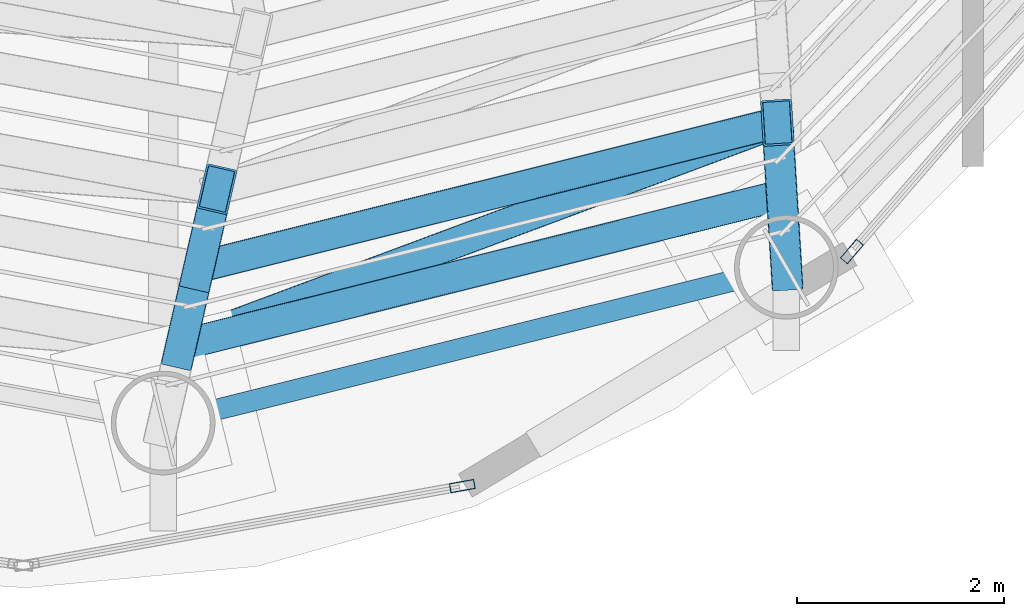
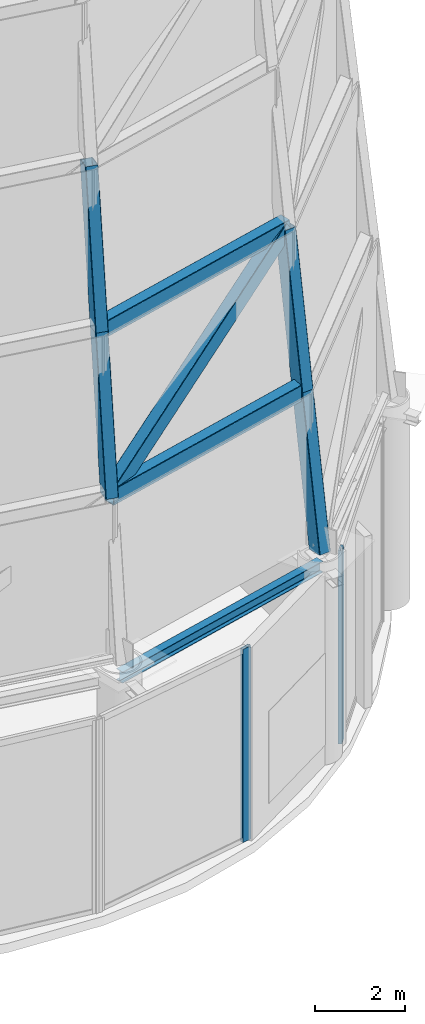
# One storey, part 9 of 40: 9 members, 1 beam, 2 elements without a shape of their own.
"""IFC4 building model written with IfcOpenShell, lengths in metres."""

import ifcopenshell
import ifcopenshell.guid

model = None  # the IFC model being written
_history = None  # IfcOwnerHistory: only IFC2X3 demands one
_inside = {}  # id of a spatial element -> (the spatial element, [elements in it])
_under = {}  # id of a project, library or spatial element -> (it, [spatial elements below it])
_declared = {}  # id of a project -> (the project, [libraries it declares])
_typed = {}  # id of a type object -> (the type object, [elements of that type])
_made_of = {}  # id of a material, layer set ... -> (it, [elements and type objects made of it])


def new_model(schema):
    """Start an empty IFC model of exactly this schema.

    Asked for "IFC4X3", IfcOpenShell would pick the latest addendum, in which some entities
    have other attributes; the version numbers below select the first issue.
    IFC2X3 requires an IfcOwnerHistory on every rooted entity: one is made here for all.
    """
    global model, _history
    if schema == "IFC4X3":
        model = ifcopenshell.file(schema_version=(4, 3, 0, 0))
    else:
        model = ifcopenshell.file(schema=schema)
    _inside.clear()
    _under.clear()
    _declared.clear()
    _typed.clear()
    _made_of.clear()
    _history = None
    if model.schema == "IFC2X3":
        org = make("IfcOrganization", Name="unknown")
        user = make(
            "IfcPersonAndOrganization",
            ThePerson=make("IfcPerson", FamilyName="unknown"),
            TheOrganization=org,
        )
        app = make(
            "IfcApplication",
            ApplicationDeveloper=org,
            Version="unknown",
            ApplicationFullName="unknown",
            ApplicationIdentifier="unknown",
        )
        _history = make(
            "IfcOwnerHistory",
            OwningUser=user,
            OwningApplication=app,
            ChangeAction="ADDED",
            CreationDate=0,
        )
    return model


def make(cls, **values):
    """One entity of the class cls with the attributes given. An attribute that is None is left unset."""
    return model.create_entity(
        cls, **{name: value for name, value in values.items() if value is not None}
    )


def rooted(cls, **values):
    """An entity with a GlobalId (a new one), such as an element, a storey or a relation."""
    return make(cls, GlobalId=ifcopenshell.guid.new(), OwnerHistory=_history, **values)


def si_unit(unit_type, name, prefix=None):
    """IfcSIUnit, for example si_unit("LENGTHUNIT", "METRE", prefix="MILLI")."""
    return make("IfcSIUnit", UnitType=unit_type, Prefix=prefix, Name=name)


def assignment(units):
    """IfcUnitAssignment: the units of a project."""
    return None if units is None else make("IfcUnitAssignment", Units=units)


def point(xyz):
    """IfcCartesianPoint."""
    return None if xyz is None else make("IfcCartesianPoint", Coordinates=xyz)


def direction(xyz):
    """IfcDirection."""
    return None if xyz is None else make("IfcDirection", DirectionRatios=xyz)


def frame(location, z_axis=None, x_axis=None):
    """IfcAxis2Placement3D, a coordinate frame: its origin and axes. An axis left out is left unset."""
    return make(
        "IfcAxis2Placement3D",
        Location=point(location),
        Axis=direction(z_axis),
        RefDirection=direction(x_axis),
    )


def frame_2d(location, x_axis=None):
    """IfcAxis2Placement2D, a coordinate frame in the plane: its origin and x axis."""
    return make(
        "IfcAxis2Placement2D", Location=point(location), RefDirection=direction(x_axis)
    )


def origin():
    """The frame at (0, 0, 0) with its axes left unset."""
    return frame((0.0, 0.0, 0.0))


def origin_2d():
    """The frame at (0, 0) in the plane with its x axis left unset."""
    return frame_2d((0.0, 0.0))


def place(relative_to, where):
    """IfcLocalPlacement: puts the frame where relative to a parent placement (None: the world)."""
    return make(
        "IfcLocalPlacement", PlacementRelTo=relative_to, RelativePlacement=where
    )


def context(
    kind, dimensions, precision=None, world=None, true_north=None, identifier=None
):
    """IfcGeometricRepresentationContext, for example the 3D "Model" context."""
    return make(
        "IfcGeometricRepresentationContext",
        ContextIdentifier=identifier,
        ContextType=kind,
        CoordinateSpaceDimension=dimensions,
        Precision=precision,
        WorldCoordinateSystem=world,
        TrueNorth=true_north,
    )


def subcontext(parent, identifier, kind, view, scale=None):
    """IfcGeometricRepresentationSubContext, for example "Body" below "Model"."""
    return make(
        "IfcGeometricRepresentationSubContext",
        ContextIdentifier=identifier,
        ContextType=kind,
        ParentContext=parent,
        TargetScale=scale,
        TargetView=view,
    )


def project(units=None, contexts=None):
    """IfcProject with its units and contexts."""
    return rooted(
        "IfcProject",
        Name="project",
        RepresentationContexts=contexts,
        UnitsInContext=assignment(units),
    )


def spatial(cls, under=None, at=None, **own):
    """A site, building, storey or space (cls), placed at a placement, below another one or the project."""
    s = rooted(cls, ObjectPlacement=at, **own)
    if under is not None:
        _under.setdefault(under.id(), (under, []))[1].append(s)
    return s


def profile(cls, at=None, kind="AREA", **sizes):
    """A parametric profile (cls). Its sizes go by their IFC names, for example OverallWidth=200.0."""
    return make(cls, ProfileType=kind, Position=at, **sizes)


def hollow_rectangle(**sizes):
    """IfcRectangleHollowProfileDef."""
    return profile("IfcRectangleHollowProfileDef", **sizes)


def i_section(**sizes):
    """IfcIShapeProfileDef."""
    return profile("IfcIShapeProfileDef", **sizes)


def extrude(swept, where, along, depth):
    """IfcExtrudedAreaSolid: the profile swept, set in the frame where, extruded along a direction by depth."""
    return make(
        "IfcExtrudedAreaSolid",
        SweptArea=swept,
        Position=where,
        ExtrudedDirection=direction(along),
        Depth=depth,
    )


def shape(context_of_items, identifier, shape_type, items):
    """IfcShapeRepresentation: the items that make up one representation, for example the "Body"."""
    return make(
        "IfcShapeRepresentation",
        ContextOfItems=context_of_items,
        RepresentationIdentifier=identifier,
        RepresentationType=shape_type,
        Items=items,
    )


def material(Name=None, Category=None):
    """IfcMaterial."""
    return make("IfcMaterial", Name=Name, Category=Category)


def layer(
    of_material, thickness, ventilated=None, Name=None, Category=None, Priority=None
):
    """IfcMaterialLayer: one layer of a wall or slab, of a material (None: an air gap)."""
    return make(
        "IfcMaterialLayer",
        Material=of_material,
        LayerThickness=thickness,
        IsVentilated=ventilated,
        Name=Name,
        Category=Category,
        Priority=Priority,
    )


def layer_set(layers, Name=None):
    """IfcMaterialLayerSet."""
    return make("IfcMaterialLayerSet", MaterialLayers=layers, LayerSetName=Name)


def material_profile(
    of_material, cross_section, Name=None, Category=None, Priority=None
):
    """IfcMaterialProfile: a cross section and its material."""
    return make(
        "IfcMaterialProfile",
        Name=Name,
        Material=of_material,
        Profile=cross_section,
        Priority=Priority,
        Category=Category,
    )


def profile_set(profiles, Name=None, composite=None):
    """IfcMaterialProfileSet."""
    return make(
        "IfcMaterialProfileSet",
        Name=Name,
        MaterialProfiles=profiles,
        CompositeProfile=composite,
    )


def made_of(thing, what):
    """Note that an element or type object is made of a material, layer set ...; save() writes the relation."""
    if what is not None:
        _made_of.setdefault(what.id(), (what, []))[1].append(thing)
    return thing


def type_object(cls, material=None, **own):
    """A type object (cls), such as IfcWallType, which elements share."""
    return made_of(rooted(cls, **own), material)


def element(
    cls,
    number,
    at=None,
    inside=None,
    cuts=None,
    type_object=None,
    material=None,
    context=None,
    identifier="Body",
    shape_type=None,
    held_by="IfcProductDefinitionShape",
    body=None,
    shapes=None,
    **own,
):
    """One element of the class cls, such as IfcWall. Its Tag is "e" and its number.

    at: its placement. inside: the storey or other place that contains it. cuts: it is an
    opening in that element (IfcRelVoidsElement). A single representation is given by context,
    identifier, shape_type and body (its items); several are given by shapes. held_by: the class
    of the entity that holds the representations. save() writes the other relations.
    """
    e = rooted(cls, Tag="e%d" % number, ObjectPlacement=at, **own)
    if body is not None:
        shapes = [shape(context, identifier, shape_type, body)]
    if shapes is not None:
        e.Representation = make(held_by, Representations=shapes)
    if inside is not None:
        _inside.setdefault(inside.id(), (inside, []))[1].append(e)
    if cuts is not None:
        rooted(
            "IfcRelVoidsElement", RelatingBuildingElement=cuts, RelatedOpeningElement=e
        )
    if type_object is not None:
        _typed.setdefault(type_object.id(), (type_object, []))[1].append(e)
    return made_of(e, material)


def aggregate(whole, parts):
    """IfcRelAggregates: a whole, such as a stair, and the parts it consists of."""
    return rooted("IfcRelAggregates", RelatingObject=whole, RelatedObjects=parts)


def save(model, path):
    """Write the relations noted so far, then the file.

    IfcRelAggregates (storeys below a building ...), IfcRelContainedInSpatialStructure (elements
    in a storey), IfcRelDefinesByType, IfcRelAssociatesMaterial and IfcRelDeclares: one each for
    every whole, place, type object, material and project.
    """
    for whole, parts in _under.values():
        aggregate(whole, parts)
    for where, things in _inside.values():
        rooted(
            "IfcRelContainedInSpatialStructure",
            RelatedElements=things,
            RelatingStructure=where,
        )
    for kind, things in _typed.values():
        rooted("IfcRelDefinesByType", RelatedObjects=things, RelatingType=kind)
    for what, things in _made_of.values():
        rooted("IfcRelAssociatesMaterial", RelatedObjects=things, RelatingMaterial=what)
    for by, libraries in _declared.values():
        rooted("IfcRelDeclares", RelatingContext=by, RelatedDefinitions=libraries)
    model.write(path)


model = new_model("IFC4")

# Units and contexts
model_context = context("Model", 3, precision=1e-05, world=origin(), true_north=direction((0.0, 1.0)))
body_context = subcontext(model_context, "Body", "Model", "MODEL_VIEW")
ifc_project = project(units=[si_unit("LENGTHUNIT", "METRE"), si_unit("AREAUNIT", "SQUARE_METRE"), si_unit("VOLUMEUNIT", "CUBIC_METRE"), si_unit("PLANEANGLEUNIT", "RADIAN"), si_unit("MASSUNIT", "GRAM", prefix="KILO")], contexts=[model_context])

# Site, building, storey
site_placement = place(None, origin())
site = spatial("IfcSite", under=ifc_project, at=site_placement, CompositionType="ELEMENT")
building_placement = place(site_placement, origin())
building = spatial("IfcBuilding", under=site, at=building_placement, Name="Bramvorn Convention Spire", CompositionType="ELEMENT")
storey_placement = place(building_placement, frame((0.0, 0.0, 312.5)))
storey = spatial("IfcBuildingStorey", under=building, at=storey_placement, Name="L79", CompositionType="ELEMENT", Elevation=312.5)

# Beam
ifc_material_1 = material(Name="Steel CSA G40.21 Grade 350 (350W)", Category="steel")
ifc_material_profile_1 = material_profile(ifc_material_1, i_section(OverallWidth=0.202880859375, OverallDepth=0.302978515625, WebThickness=0.007568359375, FlangeThickness=0.01318359375, FilletRadius=0.013916015625, at=origin_2d()))
ifc_profile_set_1 = profile_set([ifc_material_profile_1], Name="Steel CSA G40.21 Grade 350 (350W) - W310X60")
beam_type = type_object("IfcBeamType", Name="BM-W310X60", PredefinedType="JOIST", material=ifc_profile_set_1)
beam_placement = place(storey_placement, frame((43.1884765625, 5.09912109375, 5.098388671875), z_axis=(0.970177255997, 0.24239655927, 0.0), x_axis=(-0.24239655927, 0.970177255997, 0.0)))
element("IfcBeam", 1, at=beam_placement, inside=storey, type_object=beam_type, Name="L79 mega-column ring beam 16", PredefinedType="JOIST", context=body_context, shape_type="SweptSolid", body=[
    extrude(i_section(OverallWidth=0.202880859375, OverallDepth=0.302978515625, WebThickness=0.007568359375, FlangeThickness=0.01318359375, FilletRadius=0.013916015625, at=origin_2d()), origin(), (0.0, 0.0, 1.0), 6.1962890625),
])

# Curtain wall, member
ifc_material_2 = material(Name="Anodised Bronze Unitised Curtain Wall", Category="aluminium")
ifc_layer = layer(ifc_material_2, 0.199951171875)
ifc_layer_set = layer_set([ifc_layer], Name="Anodised Bronze Unitised Curtain Wall - CW-CROWN-SPIRE")
curtain_wall_type = type_object("IfcCurtainWallType", Name="CW-CROWN-SPIRE", PredefinedType="USERDEFINED", material=ifc_layer_set)
curtain_wall_1_placement = place(storey_placement, origin())
curtain_wall_1 = element("IfcCurtainWall", 2, at=curtain_wall_1_placement, inside=storey, type_object=curtain_wall_type, Name="L79 fritted glass curtain wall 02", ObjectType="UNITISED CURTAIN WALL", PredefinedType="USERDEFINED")
ifc_material_3 = material(Name="Anodised Bronze Aluminium 6063-T6", Category="aluminium")
ifc_material_profile_2 = material_profile(ifc_material_3, hollow_rectangle(XDim=0.090087890625, YDim=0.239990234375, WallThickness=0.00439453125, InnerFilletRadius=0.0009765625, OuterFilletRadius=0.00439453125, at=origin_2d()))
ifc_profile_set_2 = profile_set([ifc_material_profile_2], Name="Anodised Bronze Aluminium 6063-T6 - CWM90X240")
member_type_1 = type_object("IfcMemberType", Name="CW-MUL-220", PredefinedType="MULLION", material=ifc_profile_set_2)
member_1_placement = place(storey_placement, frame((49.832763671875, 6.75390625, 0.0), z_axis=(0.0, 0.0, 1.0), x_axis=(0.756460178654, -0.6540397527, 0.0)))
member_1 = element("IfcMember", 3, at=member_1_placement, type_object=member_type_1, Name="CW6 mullion 2", PredefinedType="MULLION", context=body_context, shape_type="SweptSolid", body=[
    extrude(hollow_rectangle(XDim=0.090087890625, YDim=0.239990234375, WallThickness=0.00439453125, InnerFilletRadius=0.0009765625, OuterFilletRadius=0.00439453125, at=origin_2d()), origin(), (0.0, 0.0, 1.0), 5.25),
])
aggregate(curtain_wall_1, [member_1])

curtain_wall_2_placement = place(storey_placement, origin())
curtain_wall_2 = element("IfcCurtainWall", 4, at=curtain_wall_2_placement, inside=storey, type_object=curtain_wall_type, Name="L79 fritted glass curtain wall 24", ObjectType="UNITISED CURTAIN WALL", PredefinedType="USERDEFINED")
member_2_placement = place(storey_placement, frame((46.074462890625, 4.490966796875, 0.0), z_axis=(0.0, 0.0, 1.0), x_axis=(0.17763345328, -0.984096720996, 0.0)))
member_2 = element("IfcMember", 5, at=member_2_placement, type_object=member_type_1, Name="CW6 mullion 1", PredefinedType="MULLION", context=body_context, shape_type="SweptSolid", body=[
    extrude(hollow_rectangle(XDim=0.090087890625, YDim=0.239990234375, WallThickness=0.00439453125, InnerFilletRadius=0.0009765625, OuterFilletRadius=0.00439453125, at=origin_2d()), origin(), (0.0, 0.0, 1.0), 5.25),
])
aggregate(curtain_wall_2, [member_2])

# Members
ifc_material_profile_3 = material_profile(ifc_material_1, hollow_rectangle(XDim=0.300048828125, YDim=0.449951171875, WallThickness=0.02001953125, InnerFilletRadius=0.00390625, OuterFilletRadius=0.02392578125, at=origin_2d()))
ifc_profile_set_3 = profile_set([ifc_material_profile_3], Name="Steel CSA G40.21 Grade 350 (350W) - CROWN450X300X20")
member_type_2 = type_object("IfcMemberType", Name="MBR-CROWN450X300X20", PredefinedType="USERDEFINED", material=ifc_profile_set_3)
member_3_placement = place(storey_placement, frame((49.199951171875, 6.60107421875, 5.5), z_axis=(-0.010641693997, 0.171950535768, 0.985048104205), x_axis=(-0.998090414538, -0.061769931249, 0.0)))
element("IfcMember", 6, at=member_3_placement, inside=storey, type_object=member_type_2, Name="Crown spire CROWN FRAME rib T1-01", ObjectType="CROWN FRAME", PredefinedType="USERDEFINED", context=body_context, shape_type="SweptSolid", body=[
    extrude(hollow_rectangle(XDim=0.300048828125, YDim=0.449951171875, WallThickness=0.02001953125, InnerFilletRadius=0.00390625, OuterFilletRadius=0.02392578125, at=origin_2d()), origin(), (0.0, 0.0, 1.0), 4.060791015625),
])
member_4_placement = place(storey_placement, frame((43.36181640625, 5.8515625, 9.5), z_axis=(0.970180957418, 0.24238174408, 0.0), x_axis=(-0.24238174408, 0.970180957418, 0.0)))
element("IfcMember", 7, at=member_4_placement, inside=storey, type_object=member_type_2, Name="Crown spire CROWN FRAME ring beam T1-16", ObjectType="CROWN FRAME", PredefinedType="USERDEFINED", context=body_context, shape_type="SweptSolid", body=[
    extrude(hollow_rectangle(XDim=0.300048828125, YDim=0.449951171875, WallThickness=0.02001953125, InnerFilletRadius=0.00390625, OuterFilletRadius=0.02392578125, at=origin_2d()), origin(), (0.0, 0.0, 1.0), 5.97314453125),
])
member_5_placement = place(storey_placement, frame((49.15673828125, 7.29931640625, 9.5), z_axis=(-0.010641583964, 0.172008879785, 0.98503791905), x_axis=(-0.998091745395, -0.061748423256, 0.0)))
element("IfcMember", 8, at=member_5_placement, inside=storey, type_object=member_type_2, Name="Crown spire CROWN FRAME rib T2-01", ObjectType="CROWN FRAME", PredefinedType="USERDEFINED", context=body_context, shape_type="SweptSolid", body=[
    extrude(hollow_rectangle(XDim=0.300048828125, YDim=0.449951171875, WallThickness=0.02001953125, InnerFilletRadius=0.00390625, OuterFilletRadius=0.02392578125, at=origin_2d()), origin(), (0.0, 0.0, 1.0), 4.060791015625),
])
member_6_placement = place(storey_placement, frame((43.36181640625, 5.8515625, 9.5), z_axis=(0.04248962231, 0.184701009816, 0.981875841932), x_axis=(-0.974545515446, 0.22418973733, 0.0)))
element("IfcMember", 9, at=member_6_placement, inside=storey, type_object=member_type_2, Name="Crown spire CROWN FRAME rib T2-16", ObjectType="CROWN FRAME", PredefinedType="USERDEFINED", context=body_context, shape_type="SweptSolid", body=[
    extrude(hollow_rectangle(XDim=0.300048828125, YDim=0.449951171875, WallThickness=0.02001953125, InnerFilletRadius=0.00390625, OuterFilletRadius=0.02392578125, at=origin_2d()), origin(), (0.0, 0.0, 1.0), 4.07373046875),
])
member_7_placement = place(storey_placement, frame((43.534912109375, 6.60400390625, 13.5), z_axis=(0.970177455913, 0.242395759116, 0.0), x_axis=(-0.242395759116, 0.970177455913, 0.0)))
element("IfcMember", 10, at=member_7_placement, inside=storey, type_object=member_type_2, Name="Crown spire CROWN FRAME ring beam T2-16", ObjectType="CROWN FRAME", PredefinedType="USERDEFINED", context=body_context, shape_type="SweptSolid", body=[
    extrude(hollow_rectangle(XDim=0.300048828125, YDim=0.449951171875, WallThickness=0.02001953125, InnerFilletRadius=0.00390625, OuterFilletRadius=0.02392578125, at=origin_2d()), origin(), (0.0, 0.0, 1.0), 5.75),
])
member_8_placement = place(storey_placement, frame((43.36181640625, 5.8515625, 9.5), z_axis=(0.784975776893, 0.292912350043, 0.54590785384), x_axis=(-0.349601982015, 0.936898315812, 0.0)))
element("IfcMember", 11, at=member_8_placement, inside=storey, type_object=member_type_2, Name="Crown spire CROWN FRAME wind brace T2-16", ObjectType="CROWN FRAME", PredefinedType="USERDEFINED", context=body_context, shape_type="SweptSolid", body=[
    extrude(hollow_rectangle(XDim=0.300048828125, YDim=0.449951171875, WallThickness=0.02001953125, InnerFilletRadius=0.00390625, OuterFilletRadius=0.02392578125, at=origin_2d()), origin(), (0.0, 0.0, 1.0), 7.3271484375),
])
member_9_placement = place(storey_placement, frame((43.534912109375, 6.60400390625, 13.5), z_axis=(0.04248962231, 0.184701009816, 0.981875841932), x_axis=(-0.974545515446, 0.22418973733, 0.0)))
element("IfcMember", 12, at=member_9_placement, inside=storey, type_object=member_type_2, Name="Crown spire CROWN FRAME rib T3-16", ObjectType="CROWN FRAME", PredefinedType="USERDEFINED", context=body_context, shape_type="SweptSolid", body=[
    extrude(hollow_rectangle(XDim=0.300048828125, YDim=0.449951171875, WallThickness=0.02001953125, InnerFilletRadius=0.00390625, OuterFilletRadius=0.02392578125, at=origin_2d()), origin(), (0.0, 0.0, 1.0), 4.07373046875),
])

save(model, "model.ifc")
